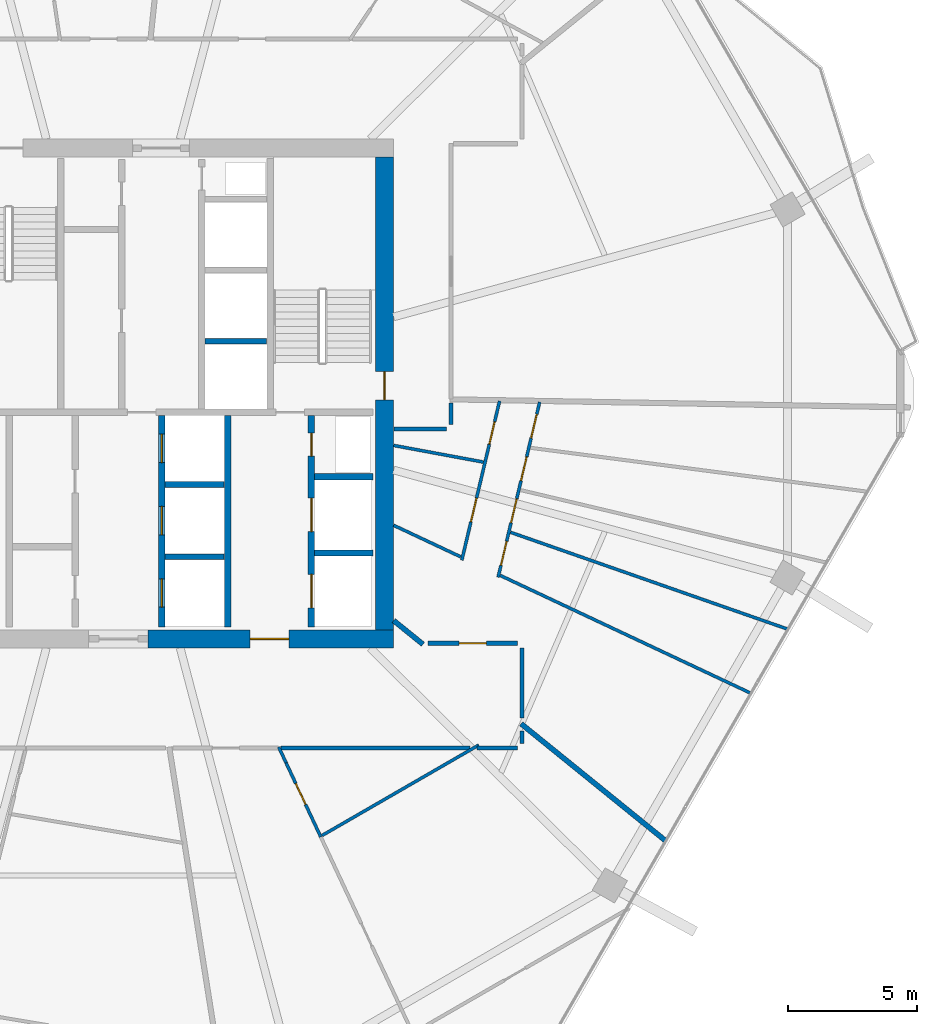
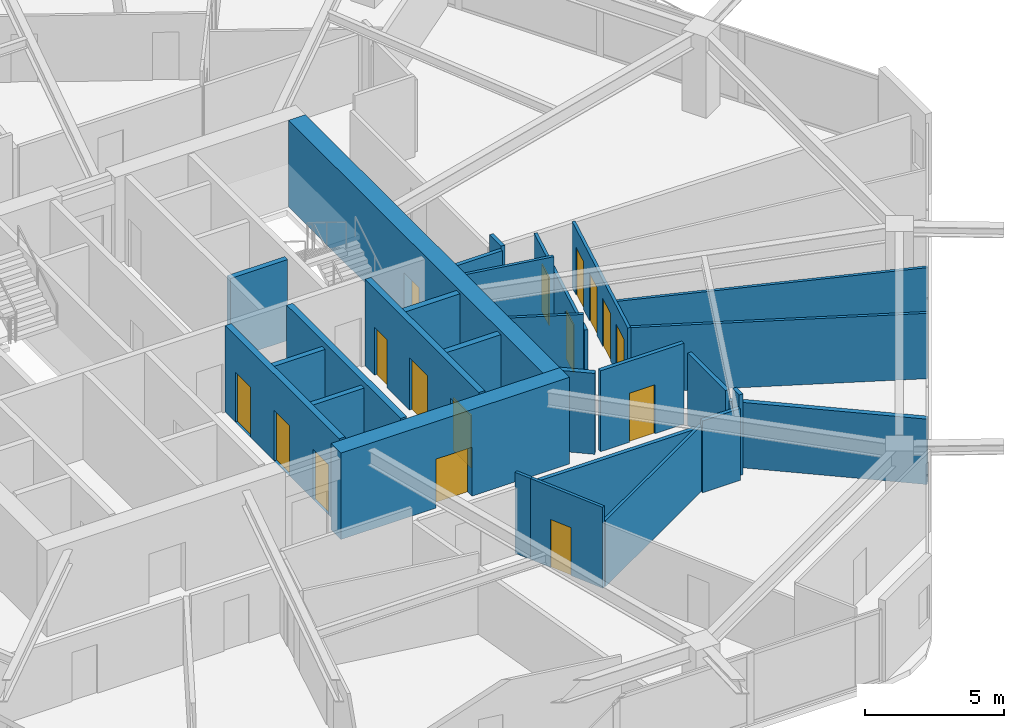
# One storey, part 19 of 25: 28 walls, 16 doors, 16 openings.
"""IFC4 building model written with IfcOpenShell, lengths in metres."""

import ifcopenshell
import ifcopenshell.guid

model = None  # the IFC model being written
_history = None  # IfcOwnerHistory: only IFC2X3 demands one
_inside = {}  # id of a spatial element -> (the spatial element, [elements in it])
_under = {}  # id of a project, library or spatial element -> (it, [spatial elements below it])
_declared = {}  # id of a project -> (the project, [libraries it declares])
_typed = {}  # id of a type object -> (the type object, [elements of that type])
_made_of = {}  # id of a material, layer set ... -> (it, [elements and type objects made of it])


def new_model(schema):
    """Start an empty IFC model of exactly this schema.

    Asked for "IFC4X3", IfcOpenShell would pick the latest addendum, in which some entities
    have other attributes; the version numbers below select the first issue.
    IFC2X3 requires an IfcOwnerHistory on every rooted entity: one is made here for all.
    """
    global model, _history
    if schema == "IFC4X3":
        model = ifcopenshell.file(schema_version=(4, 3, 0, 0))
    else:
        model = ifcopenshell.file(schema=schema)
    _inside.clear()
    _under.clear()
    _declared.clear()
    _typed.clear()
    _made_of.clear()
    _history = None
    if model.schema == "IFC2X3":
        org = make("IfcOrganization", Name="unknown")
        user = make(
            "IfcPersonAndOrganization",
            ThePerson=make("IfcPerson", FamilyName="unknown"),
            TheOrganization=org,
        )
        app = make(
            "IfcApplication",
            ApplicationDeveloper=org,
            Version="unknown",
            ApplicationFullName="unknown",
            ApplicationIdentifier="unknown",
        )
        _history = make(
            "IfcOwnerHistory",
            OwningUser=user,
            OwningApplication=app,
            ChangeAction="ADDED",
            CreationDate=0,
        )
    return model


def make(cls, **values):
    """One entity of the class cls with the attributes given. An attribute that is None is left unset."""
    return model.create_entity(
        cls, **{name: value for name, value in values.items() if value is not None}
    )


def rooted(cls, **values):
    """An entity with a GlobalId (a new one), such as an element, a storey or a relation."""
    return make(cls, GlobalId=ifcopenshell.guid.new(), OwnerHistory=_history, **values)


def si_unit(unit_type, name, prefix=None):
    """IfcSIUnit, for example si_unit("LENGTHUNIT", "METRE", prefix="MILLI")."""
    return make("IfcSIUnit", UnitType=unit_type, Prefix=prefix, Name=name)


def assignment(units):
    """IfcUnitAssignment: the units of a project."""
    return None if units is None else make("IfcUnitAssignment", Units=units)


def point(xyz):
    """IfcCartesianPoint."""
    return None if xyz is None else make("IfcCartesianPoint", Coordinates=xyz)


def direction(xyz):
    """IfcDirection."""
    return None if xyz is None else make("IfcDirection", DirectionRatios=xyz)


def frame(location, z_axis=None, x_axis=None):
    """IfcAxis2Placement3D, a coordinate frame: its origin and axes. An axis left out is left unset."""
    return make(
        "IfcAxis2Placement3D",
        Location=point(location),
        Axis=direction(z_axis),
        RefDirection=direction(x_axis),
    )


def frame_2d(location, x_axis=None):
    """IfcAxis2Placement2D, a coordinate frame in the plane: its origin and x axis."""
    return make(
        "IfcAxis2Placement2D", Location=point(location), RefDirection=direction(x_axis)
    )


def origin():
    """The frame at (0, 0, 0) with its axes left unset."""
    return frame((0.0, 0.0, 0.0))


def place(relative_to, where):
    """IfcLocalPlacement: puts the frame where relative to a parent placement (None: the world)."""
    return make(
        "IfcLocalPlacement", PlacementRelTo=relative_to, RelativePlacement=where
    )


def context(
    kind, dimensions, precision=None, world=None, true_north=None, identifier=None
):
    """IfcGeometricRepresentationContext, for example the 3D "Model" context."""
    return make(
        "IfcGeometricRepresentationContext",
        ContextIdentifier=identifier,
        ContextType=kind,
        CoordinateSpaceDimension=dimensions,
        Precision=precision,
        WorldCoordinateSystem=world,
        TrueNorth=true_north,
    )


def subcontext(parent, identifier, kind, view, scale=None):
    """IfcGeometricRepresentationSubContext, for example "Body" below "Model"."""
    return make(
        "IfcGeometricRepresentationSubContext",
        ContextIdentifier=identifier,
        ContextType=kind,
        ParentContext=parent,
        TargetScale=scale,
        TargetView=view,
    )


def project(units=None, contexts=None):
    """IfcProject with its units and contexts."""
    return rooted(
        "IfcProject",
        Name="project",
        RepresentationContexts=contexts,
        UnitsInContext=assignment(units),
    )


def spatial(cls, under=None, at=None, **own):
    """A site, building, storey or space (cls), placed at a placement, below another one or the project."""
    s = rooted(cls, ObjectPlacement=at, **own)
    if under is not None:
        _under.setdefault(under.id(), (under, []))[1].append(s)
    return s


def profile(cls, at=None, kind="AREA", **sizes):
    """A parametric profile (cls). Its sizes go by their IFC names, for example OverallWidth=200.0."""
    return make(cls, ProfileType=kind, Position=at, **sizes)


def rectangle(**sizes):
    """IfcRectangleProfileDef."""
    return profile("IfcRectangleProfileDef", **sizes)


def extrude(swept, where, along, depth):
    """IfcExtrudedAreaSolid: the profile swept, set in the frame where, extruded along a direction by depth."""
    return make(
        "IfcExtrudedAreaSolid",
        SweptArea=swept,
        Position=where,
        ExtrudedDirection=direction(along),
        Depth=depth,
    )


def shape(context_of_items, identifier, shape_type, items):
    """IfcShapeRepresentation: the items that make up one representation, for example the "Body"."""
    return make(
        "IfcShapeRepresentation",
        ContextOfItems=context_of_items,
        RepresentationIdentifier=identifier,
        RepresentationType=shape_type,
        Items=items,
    )


def material(Name=None, Category=None):
    """IfcMaterial."""
    return make("IfcMaterial", Name=Name, Category=Category)


def layer(
    of_material, thickness, ventilated=None, Name=None, Category=None, Priority=None
):
    """IfcMaterialLayer: one layer of a wall or slab, of a material (None: an air gap)."""
    return make(
        "IfcMaterialLayer",
        Material=of_material,
        LayerThickness=thickness,
        IsVentilated=ventilated,
        Name=Name,
        Category=Category,
        Priority=Priority,
    )


def layer_set(layers, Name=None):
    """IfcMaterialLayerSet."""
    return make("IfcMaterialLayerSet", MaterialLayers=layers, LayerSetName=Name)


def made_of(thing, what):
    """Note that an element or type object is made of a material, layer set ...; save() writes the relation."""
    if what is not None:
        _made_of.setdefault(what.id(), (what, []))[1].append(thing)
    return thing


def type_object(cls, material=None, **own):
    """A type object (cls), such as IfcWallType, which elements share."""
    return made_of(rooted(cls, **own), material)


def element(
    cls,
    number,
    at=None,
    inside=None,
    cuts=None,
    type_object=None,
    material=None,
    context=None,
    identifier="Body",
    shape_type=None,
    held_by="IfcProductDefinitionShape",
    body=None,
    shapes=None,
    **own,
):
    """One element of the class cls, such as IfcWall. Its Tag is "e" and its number.

    at: its placement. inside: the storey or other place that contains it. cuts: it is an
    opening in that element (IfcRelVoidsElement). A single representation is given by context,
    identifier, shape_type and body (its items); several are given by shapes. held_by: the class
    of the entity that holds the representations. save() writes the other relations.
    """
    e = rooted(cls, Tag="e%d" % number, ObjectPlacement=at, **own)
    if body is not None:
        shapes = [shape(context, identifier, shape_type, body)]
    if shapes is not None:
        e.Representation = make(held_by, Representations=shapes)
    if inside is not None:
        _inside.setdefault(inside.id(), (inside, []))[1].append(e)
    if cuts is not None:
        rooted(
            "IfcRelVoidsElement", RelatingBuildingElement=cuts, RelatedOpeningElement=e
        )
    if type_object is not None:
        _typed.setdefault(type_object.id(), (type_object, []))[1].append(e)
    return made_of(e, material)


def fill(opening, filler):
    """IfcRelFillsElement: the door or window that sits in an opening."""
    return rooted(
        "IfcRelFillsElement",
        RelatingOpeningElement=opening,
        RelatedBuildingElement=filler,
    )


def aggregate(whole, parts):
    """IfcRelAggregates: a whole, such as a stair, and the parts it consists of."""
    return rooted("IfcRelAggregates", RelatingObject=whole, RelatedObjects=parts)


def save(model, path):
    """Write the relations noted so far, then the file.

    IfcRelAggregates (storeys below a building ...), IfcRelContainedInSpatialStructure (elements
    in a storey), IfcRelDefinesByType, IfcRelAssociatesMaterial and IfcRelDeclares: one each for
    every whole, place, type object, material and project.
    """
    for whole, parts in _under.values():
        aggregate(whole, parts)
    for where, things in _inside.values():
        rooted(
            "IfcRelContainedInSpatialStructure",
            RelatedElements=things,
            RelatingStructure=where,
        )
    for kind, things in _typed.values():
        rooted("IfcRelDefinesByType", RelatedObjects=things, RelatingType=kind)
    for what, things in _made_of.values():
        rooted("IfcRelAssociatesMaterial", RelatedObjects=things, RelatingMaterial=what)
    for by, libraries in _declared.values():
        rooted("IfcRelDeclares", RelatingContext=by, RelatedDefinitions=libraries)
    model.write(path)


model = new_model("IFC4")

# Units and contexts
model_context = context("Model", 3, precision=1e-05, world=origin(), true_north=direction((0.0, 1.0)))
body_context = subcontext(model_context, "Body", "Model", "MODEL_VIEW")
ifc_project = project(units=[si_unit("LENGTHUNIT", "METRE"), si_unit("AREAUNIT", "SQUARE_METRE"), si_unit("VOLUMEUNIT", "CUBIC_METRE"), si_unit("PLANEANGLEUNIT", "RADIAN"), si_unit("MASSUNIT", "GRAM", prefix="KILO")], contexts=[model_context])

# Site, building, storey
site_placement = place(None, origin())
site = spatial("IfcSite", under=ifc_project, at=site_placement, CompositionType="ELEMENT")
building_placement = place(site_placement, origin())
building = spatial("IfcBuilding", under=site, at=building_placement, Name="Zuhravey Tower", CompositionType="ELEMENT")
storey_placement = place(building_placement, frame((0.0, 0.0, 180.800048828125)))
storey = spatial("IfcBuildingStorey", under=building, at=storey_placement, Name="L45", CompositionType="ELEMENT", Elevation=180.800048828125)

# Wall, opening, door
ifc_material_1 = material(Name="Concrete C60/75", Category="concrete")
ifc_layer_1 = layer(ifc_material_1, 0.699951171875)
ifc_layer_set_1 = layer_set([ifc_layer_1], Name="Concrete C60/75")
wall_type_1 = type_object("IfcWallType", Name="Core Shear Wall 700", PredefinedType="SHEAR", material=ifc_layer_set_1)
wall_1_placement = place(storey_placement, frame((37.35009765625, 22.5, 0.0), z_axis=(0.0, 0.0, 1.0), x_axis=(1.0, 0.0, 0.0)))
wall_1 = element("IfcWall", 1, at=wall_1_placement, inside=storey, type_object=wall_type_1, Name="L45 South-East Core Shear Wall CW70", PredefinedType="SHEAR", context=body_context, shape_type="SweptSolid", body=[
    extrude(rectangle(XDim=9.5, YDim=0.699951171875, at=frame_2d((4.75, 0.0))), origin(), (0.0, 0.0, 1.0), 3.800048828125),
])
opening_1_placement = place(wall_1_placement, frame((3.949951171875, 0.0, 0.0)))
opening_1 = element("IfcOpeningElement", 2, at=opening_1_placement, cuts=wall_1, Name="Opening FFD1", PredefinedType="OPENING", context=body_context, shape_type="SweptSolid", body=[
    extrude(rectangle(XDim=1.5, YDim=2.14990234375, at=frame_2d((0.75, 1.074951171875))), frame((0.0, 0.362060546875, 0.0), z_axis=(0.0, -1.0, 0.0), x_axis=(1.0, 0.0, 0.0)), (0.0, 0.0, 1.0), 0.723876953125),
])
ifc_material_2 = material(Name="Galvanised fire-rated steel leaf", Category="steel")
door_type_1 = type_object("IfcDoorType", Name="Firefighting Lobby Double Door 1500x2150", OperationType="DOUBLE_DOOR_SINGLE_SWING", PredefinedType="DOOR", material=ifc_material_2)
door_1_placement = place(opening_1_placement, origin())
door_1 = element("IfcDoor", 3, at=door_1_placement, inside=storey, type_object=door_type_1, Name="L45 Firefighting Lobby East Door", OperationType="DOUBLE_DOOR_SINGLE_SWING", OverallHeight=2.14990234375, OverallWidth=1.5, PredefinedType="DOOR", context=body_context, shape_type="SweptSolid", body=[
    extrude(rectangle(XDim=1.5, YDim=2.14990234375, at=frame_2d((0.75, 1.074951171875))), frame((0.0, 0.02490234375, 0.0), z_axis=(0.0, -1.0, 0.0), x_axis=(1.0, 0.0, 0.0)), (0.0, 0.0, 1.0), 0.050048828125),
])
fill(opening_1, door_1)

wall_2_placement = place(storey_placement, frame((46.5, 22.85009765625, 0.0), z_axis=(0.0, 0.0, 1.0), x_axis=(0.0, 1.0, 0.0)))
wall_2 = element("IfcWall", 4, at=wall_2_placement, inside=storey, type_object=wall_type_1, Name="L45 East Core Shear Wall CW70", PredefinedType="SHEAR", context=body_context, shape_type="SweptSolid", body=[
    extrude(rectangle(XDim=18.2998046875, YDim=0.699951171875, at=frame_2d((9.14990234375, 0.0))), origin(), (0.0, 0.0, 1.0), 3.800048828125),
])
opening_2_placement = place(wall_2_placement, frame((8.89990234375, 0.0, 0.0)))
opening_2 = element("IfcOpeningElement", 5, at=opening_2_placement, cuts=wall_2, Name="Opening STD1", PredefinedType="OPENING", context=body_context, shape_type="SweptSolid", body=[
    extrude(rectangle(XDim=1.10009765625, YDim=2.14990234375, at=frame_2d((0.550048828125, 1.074951171875))), frame((0.0, 0.362060546875, 0.0), z_axis=(0.0, -1.0, 0.0), x_axis=(1.0, 0.0, 0.0)), (0.0, 0.0, 1.0), 0.723876953125),
])
door_type_2 = type_object("IfcDoorType", Name="Protected Stair Fire Door 1100x2150", OperationType="NOTDEFINED", PredefinedType="USERDEFINED", material=ifc_material_2)
door_2_placement = place(opening_2_placement, origin())
door_2 = element("IfcDoor", 6, at=door_2_placement, inside=storey, type_object=door_type_2, Name="L45 Stair ST2 Door", ObjectType="EXITDOOR", OperationType="SINGLE_SWING_LEFT", OverallHeight=2.14990234375, OverallWidth=1.10009765625, PredefinedType="USERDEFINED", context=body_context, shape_type="SweptSolid", body=[
    extrude(rectangle(XDim=1.10009765625, YDim=2.14990234375, at=frame_2d((0.550048828125, 1.074951171875))), frame((0.0, 0.02490234375, 0.0), z_axis=(0.0, -1.0, 0.0), x_axis=(1.0, 0.0, 0.0)), (0.0, 0.0, 1.0), 0.050048828125),
])
fill(opening_2, door_2)

ifc_material_3 = material(Name="Gypsum fire-rated stud partition")
ifc_layer_2 = layer(ifc_material_3, 0.159912109375)
ifc_layer_set_2 = layer_set([ifc_layer_2], Name="Gypsum fire-rated stud partition")
wall_type_2 = type_object("IfcWallType", Name="Corridor Fire Partition 160", PredefinedType="PARTITIONING", material=ifc_layer_set_2)
wall_3_placement = place(storey_placement, frame((51.6494140625, 22.330078125, 0.0), z_axis=(0.0, 0.0, 1.0), x_axis=(-1.0, 0.0, 0.0)))
wall_3 = element("IfcWall", 7, at=wall_3_placement, inside=storey, type_object=wall_type_2, Name="L45 IW16 Partition 053", PredefinedType="PARTITIONING", context=body_context, shape_type="SweptSolid", body=[
    extrude(rectangle(XDim=3.46044921875, YDim=0.159912109375, at=frame_2d((1.730224609375, 0.0))), origin(), (0.0, 0.0, 1.0), 3.550048828125),
])
opening_3_placement = place(wall_3_placement, frame((1.205078125, 0.0, 0.0)))
opening_3 = element("IfcOpeningElement", 8, at=opening_3_placement, cuts=wall_3, Name="Opening APD1", PredefinedType="OPENING", context=body_context, shape_type="SweptSolid", body=[
    extrude(rectangle(XDim=1.050048828125, YDim=2.14990234375, at=frame_2d((0.52490234375, 1.074951171875))), frame((0.0, 0.092041015625, 0.0), z_axis=(0.0, -1.0, 0.0), x_axis=(1.0, 0.0, 0.0)), (0.0, 0.0, 1.0), 0.183837890625),
])
ifc_material_4 = material(Name="Solid-core oak fire-rated leaf")
door_type_3 = type_object("IfcDoorType", Name="Apartment Entrance Fire Door 1050x2150", OperationType="NOTDEFINED", PredefinedType="DOOR", material=ifc_material_4)
door_3_placement = place(opening_3_placement, frame((1.050048828125, 0.0, 0.0), z_axis=(0.0, 0.0, 1.0), x_axis=(-1.0, 0.0, 0.0)))
door_3 = element("IfcDoor", 9, at=door_3_placement, inside=storey, type_object=door_type_3, Name="L45 Door 053.1", OperationType="SINGLE_SWING_LEFT", OverallHeight=2.14990234375, OverallWidth=1.050048828125, PredefinedType="DOOR", context=body_context, shape_type="SweptSolid", body=[
    extrude(rectangle(XDim=1.050048828125, YDim=2.14990234375, at=frame_2d((0.52490234375, 1.074951171875))), frame((0.0, 0.02490234375, 0.0), z_axis=(0.0, -1.0, 0.0), x_axis=(1.0, 0.0, 0.0)), (0.0, 0.0, 1.0), 0.050048828125),
])
fill(opening_3, door_3)

# Walls
wall_4_placement = place(storey_placement, frame((42.500732421875, 18.27001953125, 0.0), z_axis=(0.0, 0.0, 1.0), x_axis=(1.0, 0.0, 0.0)))
element("IfcWall", 10, at=wall_4_placement, inside=storey, type_object=wall_type_2, Name="L45 IW16 Partition 119", PredefinedType="PARTITIONING", context=body_context, shape_type="SweptSolid", body=[
    extrude(rectangle(XDim=7.30810546875, YDim=0.159912109375, at=frame_2d((3.654052734375, 0.0))), origin(), (0.0, 0.0, 1.0), 2.89990234375),
])
wall_5_placement = place(storey_placement, frame((50.080810546875, 18.27001953125, 0.0), z_axis=(0.0, 0.0, 1.0), x_axis=(1.0, 0.0, 0.0)))
element("IfcWall", 11, at=wall_5_placement, inside=storey, type_object=wall_type_2, Name="L45 IW16 Partition 120", PredefinedType="PARTITIONING", context=body_context, shape_type="SweptSolid", body=[
    extrude(rectangle(XDim=1.569091796875, YDim=0.159912109375, at=frame_2d((0.78466796875, 0.0))), origin(), (0.0, 0.0, 1.0), 3.14990234375),
])
wall_6_placement = place(storey_placement, frame((51.830078125, 18.449951171875, 0.0), z_axis=(0.0, 0.0, 1.0), x_axis=(0.0, 1.0, 0.0)))
element("IfcWall", 12, at=wall_6_placement, inside=storey, type_object=wall_type_2, Name="L45 IW16 Partition 121", PredefinedType="PARTITIONING", context=body_context, shape_type="SweptSolid", body=[
    extrude(rectangle(XDim=0.474853515625, YDim=0.159912109375, at=frame_2d((0.2373046875, 0.0))), origin(), (0.0, 0.0, 1.0), 3.550048828125),
])
wall_7_placement = place(storey_placement, frame((51.830078125, 19.433837890625, 0.0), z_axis=(0.0, 0.0, 1.0), x_axis=(0.0, 1.0, 0.0)))
element("IfcWall", 13, at=wall_7_placement, inside=storey, type_object=wall_type_2, Name="L45 IW16 Partition 122", PredefinedType="PARTITIONING", context=body_context, shape_type="SweptSolid", body=[
    extrude(rectangle(XDim=2.715576171875, YDim=0.159912109375, at=frame_2d((1.35791015625, 0.0))), origin(), (0.0, 0.0, 1.0), 3.14990234375),
])
wall_8_placement = place(storey_placement, frame((46.8701171875, 30.6201171875, 0.0), z_axis=(0.0, 0.0, 1.0), x_axis=(1.0, 0.0, 0.0)))
element("IfcWall", 14, at=wall_8_placement, inside=storey, type_object=wall_type_2, Name="L45 IW16 Partition 123", PredefinedType="PARTITIONING", context=body_context, shape_type="SweptSolid", body=[
    extrude(rectangle(XDim=2.02978515625, YDim=0.159912109375, at=frame_2d((1.014892578125, 0.0))), origin(), (0.0, 0.0, 1.0), 3.550048828125),
])
wall_9_placement = place(storey_placement, frame((49.080078125, 30.800048828125, 0.0), z_axis=(0.0, 0.0, 1.0), x_axis=(0.0, 1.0, 0.0)))
element("IfcWall", 15, at=wall_9_placement, inside=storey, type_object=wall_type_2, Name="L45 IW16 Partition 124", PredefinedType="PARTITIONING", context=body_context, shape_type="SweptSolid", body=[
    extrude(rectangle(XDim=0.83740234375, YDim=0.159912109375, at=frame_2d((0.418701171875, 0.0))), origin(), (0.0, 0.0, 1.0), 3.550048828125),
])

# Wall, openings, doors
ifc_material_5 = material(Name="Concrete C50/60", Category="concrete")
ifc_layer_3 = layer(ifc_material_5, 0.25)
ifc_layer_set_3 = layer_set([ifc_layer_3], Name="Concrete C50/60")
wall_type_3 = type_object("IfcWallType", Name="Firefighting Shaft & Stair Wall 250", PredefinedType="SOLIDWALL", material=ifc_layer_set_3)
wall_10_placement = place(storey_placement, frame((37.875, 22.949951171875, 0.0), z_axis=(0.0, 0.0, 1.0), x_axis=(0.0, 1.0, 0.0)))
wall_10 = element("IfcWall", 16, at=wall_10_placement, inside=storey, type_object=wall_type_3, Name="L45 FW25 Shaft Wall 015", PredefinedType="SOLIDWALL", context=body_context, shape_type="SweptSolid", body=[
    extrude(rectangle(XDim=8.199951171875, YDim=0.25, at=frame_2d((4.10009765625, 0.0))), origin(), (0.0, 0.0, 1.0), 3.800048828125),
])
opening_4_placement = place(wall_10_placement, frame((0.77490234375, 0.0, 0.0)))
opening_4 = element("IfcOpeningElement", 17, at=opening_4_placement, cuts=wall_10, Name="Opening LD1", PredefinedType="OPENING", context=body_context, shape_type="SweptSolid", body=[
    extrude(rectangle(XDim=1.10009765625, YDim=2.199951171875, at=frame_2d((0.550048828125, 1.10009765625))), frame((0.0, 0.136962890625, 0.0), z_axis=(0.0, -1.0, 0.0), x_axis=(1.0, 0.0, 0.0)), (0.0, 0.0, 1.0), 0.27392578125),
])
opening_5_placement = place(wall_10_placement, frame((3.574951171875, 0.0, 0.0)))
opening_5 = element("IfcOpeningElement", 18, at=opening_5_placement, cuts=wall_10, Name="Opening LD1", PredefinedType="OPENING", context=body_context, shape_type="SweptSolid", body=[
    extrude(rectangle(XDim=1.10009765625, YDim=2.199951171875, at=frame_2d((0.550048828125, 1.10009765625))), frame((0.0, 0.136962890625, 0.0), z_axis=(0.0, -1.0, 0.0), x_axis=(1.0, 0.0, 0.0)), (0.0, 0.0, 1.0), 0.27392578125),
])
opening_6_placement = place(wall_10_placement, frame((6.375, 0.0, 0.0)))
opening_6 = element("IfcOpeningElement", 19, at=opening_6_placement, cuts=wall_10, Name="Opening LD1", PredefinedType="OPENING", context=body_context, shape_type="SweptSolid", body=[
    extrude(rectangle(XDim=1.10009765625, YDim=2.199951171875, at=frame_2d((0.550048828125, 1.10009765625))), frame((0.0, 0.136962890625, 0.0), z_axis=(0.0, -1.0, 0.0), x_axis=(1.0, 0.0, 0.0)), (0.0, 0.0, 1.0), 0.27392578125),
])
ifc_material_6 = material(Name="Brushed stainless steel", Category="steel")
door_type_4 = type_object("IfcDoorType", Name="Lift Landing Sliding Door 1100x2200", OperationType="DOUBLE_DOOR_SLIDING", PredefinedType="DOOR", material=ifc_material_6)
door_4_placement = place(opening_4_placement, origin())
door_4 = element("IfcDoor", 20, at=door_4_placement, inside=storey, type_object=door_type_4, Name="L45 Lift PL4 Landing Door", OperationType="DOUBLE_DOOR_SLIDING", OverallHeight=2.199951171875, OverallWidth=1.10009765625, PredefinedType="DOOR", context=body_context, shape_type="SweptSolid", body=[
    extrude(rectangle(XDim=1.10009765625, YDim=2.199951171875, at=frame_2d((0.550048828125, 1.10009765625))), frame((0.0, 0.02490234375, 0.0), z_axis=(0.0, -1.0, 0.0), x_axis=(1.0, 0.0, 0.0)), (0.0, 0.0, 1.0), 0.050048828125),
])
fill(opening_4, door_4)
door_5_placement = place(opening_5_placement, origin())
door_5 = element("IfcDoor", 21, at=door_5_placement, inside=storey, type_object=door_type_4, Name="L45 Lift PL5 Landing Door", OperationType="DOUBLE_DOOR_SLIDING", OverallHeight=2.199951171875, OverallWidth=1.10009765625, PredefinedType="DOOR", context=body_context, shape_type="SweptSolid", body=[
    extrude(rectangle(XDim=1.10009765625, YDim=2.199951171875, at=frame_2d((0.550048828125, 1.10009765625))), frame((0.0, 0.02490234375, 0.0), z_axis=(0.0, -1.0, 0.0), x_axis=(1.0, 0.0, 0.0)), (0.0, 0.0, 1.0), 0.050048828125),
])
fill(opening_5, door_5)
door_6_placement = place(opening_6_placement, origin())
door_6 = element("IfcDoor", 22, at=door_6_placement, inside=storey, type_object=door_type_4, Name="L45 Lift PL6 Landing Door", OperationType="DOUBLE_DOOR_SLIDING", OverallHeight=2.199951171875, OverallWidth=1.10009765625, PredefinedType="DOOR", context=body_context, shape_type="SweptSolid", body=[
    extrude(rectangle(XDim=1.10009765625, YDim=2.199951171875, at=frame_2d((0.550048828125, 1.10009765625))), frame((0.0, 0.02490234375, 0.0), z_axis=(0.0, -1.0, 0.0), x_axis=(1.0, 0.0, 0.0)), (0.0, 0.0, 1.0), 0.050048828125),
])
fill(opening_6, door_6)

# Walls
wall_11_placement = place(storey_placement, frame((40.425048828125, 22.949951171875, 0.0), z_axis=(0.0, 0.0, 1.0), x_axis=(0.0, 1.0, 0.0)))
element("IfcWall", 23, at=wall_11_placement, inside=storey, type_object=wall_type_3, Name="L45 FW25 Shaft Wall 016", PredefinedType="SOLIDWALL", context=body_context, shape_type="SweptSolid", body=[
    extrude(rectangle(XDim=8.199951171875, YDim=0.25, at=frame_2d((4.10009765625, 0.0))), origin(), (0.0, 0.0, 1.0), 3.800048828125),
])
for number, where, z_axis, x_axis, name in (
    (24, (43.800048828125, 25.824951171875, 0.0), (0.0, 0.0, 1.0), (1.0, 0.0, 0.0), "L45 FW25 Shaft Wall 017"),
    (25, (43.800048828125, 28.77490234375, 0.0), (0.0, 0.0, 1.0), (1.0, 0.0, 0.0), "L45 FW25 Shaft Wall 018"),
):
    element("IfcWall", number, at=place(storey_placement, frame(where, z_axis=z_axis, x_axis=x_axis)), inside=storey, type_object=wall_type_3, Name=name, PredefinedType="SOLIDWALL", context=body_context, shape_type="SweptSolid", body=[
        extrude(rectangle(XDim=2.25, YDim=0.25, at=frame_2d((1.125, 0.0))), origin(), (0.0, 0.0, 1.0), 3.800048828125),
    ])

# Wall, openings, doors
wall_12_placement = place(storey_placement, frame((43.675048828125, 22.949951171875, 0.0), z_axis=(0.0, 0.0, 1.0), x_axis=(0.0, 1.0, 0.0)))
wall_12 = element("IfcWall", 26, at=wall_12_placement, inside=storey, type_object=wall_type_3, Name="L45 FW25 Shaft Wall 019", PredefinedType="SOLIDWALL", context=body_context, shape_type="SweptSolid", body=[
    extrude(rectangle(XDim=8.199951171875, YDim=0.25, at=frame_2d((4.10009765625, 0.0))), origin(), (0.0, 0.0, 1.0), 3.800048828125),
])
opening_7_placement = place(wall_12_placement, frame((0.75, 0.0, 0.0)))
opening_7 = element("IfcOpeningElement", 27, at=opening_7_placement, cuts=wall_12, Name="Opening LD2", PredefinedType="OPENING", context=body_context, shape_type="SweptSolid", body=[
    extrude(rectangle(XDim=1.300048828125, YDim=2.300048828125, at=frame_2d((0.64990234375, 1.14990234375))), frame((0.0, 0.136962890625, 0.0), z_axis=(0.0, -1.0, 0.0), x_axis=(1.0, 0.0, 0.0)), (0.0, 0.0, 1.0), 0.27392578125),
])
opening_8_placement = place(wall_12_placement, frame((3.699951171875, 0.0, 0.0)))
opening_8 = element("IfcOpeningElement", 28, at=opening_8_placement, cuts=wall_12, Name="Opening LD2", PredefinedType="OPENING", context=body_context, shape_type="SweptSolid", body=[
    extrude(rectangle(XDim=1.300048828125, YDim=2.300048828125, at=frame_2d((0.64990234375, 1.14990234375))), frame((0.0, 0.136962890625, 0.0), z_axis=(0.0, -1.0, 0.0), x_axis=(1.0, 0.0, 0.0)), (0.0, 0.0, 1.0), 0.27392578125),
])
opening_9_placement = place(wall_12_placement, frame((6.6201171875, 0.0, 0.0)))
opening_9 = element("IfcOpeningElement", 29, at=opening_9_placement, cuts=wall_12, Name="Opening RSD1", PredefinedType="OPENING", context=body_context, shape_type="SweptSolid", body=[
    extrude(rectangle(XDim=0.89990234375, YDim=2.10009765625, at=frame_2d((0.449951171875, 1.050048828125))), frame((0.0, 0.136962890625, 0.0), z_axis=(0.0, -1.0, 0.0), x_axis=(1.0, 0.0, 0.0)), (0.0, 0.0, 1.0), 0.27392578125),
])
door_type_5 = type_object("IfcDoorType", Name="Freight & Stretcher Lift Sliding Door 1300x2300", OperationType="DOUBLE_DOOR_SLIDING", PredefinedType="DOOR", material=ifc_material_6)
door_7_placement = place(opening_7_placement, origin())
door_7 = element("IfcDoor", 30, at=door_7_placement, inside=storey, type_object=door_type_5, Name="L45 Lift FF2 Landing Door", OperationType="DOUBLE_DOOR_SLIDING", OverallHeight=2.300048828125, OverallWidth=1.300048828125, PredefinedType="DOOR", context=body_context, shape_type="SweptSolid", body=[
    extrude(rectangle(XDim=1.300048828125, YDim=2.300048828125, at=frame_2d((0.64990234375, 1.14990234375))), frame((0.0, 0.02490234375, 0.0), z_axis=(0.0, -1.0, 0.0), x_axis=(1.0, 0.0, 0.0)), (0.0, 0.0, 1.0), 0.050048828125),
])
fill(opening_7, door_7)
door_8_placement = place(opening_8_placement, origin())
door_8 = element("IfcDoor", 31, at=door_8_placement, inside=storey, type_object=door_type_5, Name="L45 Lift SV1 Landing Door", OperationType="DOUBLE_DOOR_SLIDING", OverallHeight=2.300048828125, OverallWidth=1.300048828125, PredefinedType="DOOR", context=body_context, shape_type="SweptSolid", body=[
    extrude(rectangle(XDim=1.300048828125, YDim=2.300048828125, at=frame_2d((0.64990234375, 1.14990234375))), frame((0.0, 0.02490234375, 0.0), z_axis=(0.0, -1.0, 0.0), x_axis=(1.0, 0.0, 0.0)), (0.0, 0.0, 1.0), 0.050048828125),
])
fill(opening_8, door_8)
ifc_material_7 = material(Name="Galvanised fire-rated steel access leaf", Category="steel")
door_type_6 = type_object("IfcDoorType", Name="Riser & Shaft Access Fire Door 900x2100", OperationType="NOTDEFINED", PredefinedType="DOOR", material=ifc_material_7)
door_9_placement = place(opening_9_placement, origin())
door_9 = element("IfcDoor", 32, at=door_9_placement, inside=storey, type_object=door_type_6, Name="L45 Plumbing Riser Door", OperationType="SINGLE_SWING_LEFT", OverallHeight=2.10009765625, OverallWidth=0.89990234375, PredefinedType="DOOR", context=body_context, shape_type="SweptSolid", body=[
    extrude(rectangle(XDim=0.89990234375, YDim=2.10009765625, at=frame_2d((0.449951171875, 1.050048828125))), frame((0.0, 0.02490234375, 0.0), z_axis=(0.0, -1.0, 0.0), x_axis=(1.0, 0.0, 0.0)), (0.0, 0.0, 1.0), 0.050048828125),
])
fill(opening_9, door_9)

# Walls
ifc_material_8 = material(Name="Gypsum double-stud party assembly")
ifc_layer_4 = layer(ifc_material_8, 0.199951171875)
ifc_layer_set_4 = layer_set([ifc_layer_4], Name="Gypsum double-stud party assembly")
wall_type_4 = type_object("IfcWallType", Name="Inter-Tenancy Party Wall 200", PredefinedType="PARTITIONING", material=ifc_layer_set_4)
wall_13_placement = place(storey_placement, frame((46.85791015625, 23.207275390625, 0.0), z_axis=(0.0, 0.0, 1.0), x_axis=(0.777244870707, -0.629198228668, 0.0)))
element("IfcWall", 33, at=wall_13_placement, inside=storey, type_object=wall_type_4, Name="L45 IW20 Partition 095", PredefinedType="PARTITIONING", context=body_context, shape_type="SweptSolid", body=[
    extrude(rectangle(XDim=1.457763671875, YDim=0.199951171875, at=frame_2d((0.72900390625, 0.0))), origin(), (0.0, 0.0, 1.0), 3.550048828125),
])
wall_14_placement = place(storey_placement, frame((51.7900390625, 19.21337890625, 0.0), z_axis=(0.0, 0.0, 1.0), x_axis=(0.777161996324, -0.629300589122, 0.0)))
element("IfcWall", 34, at=wall_14_placement, inside=storey, type_object=wall_type_4, Name="L45 IW20 Partition 096", PredefinedType="PARTITIONING", context=body_context, shape_type="SweptSolid", body=[
    extrude(rectangle(XDim=7.203857421875, YDim=0.199951171875, at=frame_2d((3.60205078125, 0.0))), origin(), (0.0, 0.0, 1.0), 2.869873046875),
])
ifc_material_9 = material(Name="Gypsum acoustic stud assembly")
ifc_layer_5 = layer(ifc_material_9, 0.219970703125)
ifc_layer_set_5 = layer_set([ifc_layer_5], Name="Gypsum acoustic stud assembly")
wall_type_5 = type_object("IfcWallType", Name="School Acoustic Compartment Wall 220", PredefinedType="PARTITIONING", material=ifc_layer_set_5)
wall_15_placement = place(storey_placement, frame((39.55810546875, 34.02490234375, 0.0), z_axis=(0.0, 0.0, 1.0), x_axis=(1.0, 0.0, 0.0)))
element("IfcWall", 35, at=wall_15_placement, inside=storey, type_object=wall_type_5, Name="L45 IW22 Partition 056", PredefinedType="PARTITIONING", context=body_context, shape_type="SweptSolid", body=[
    extrude(rectangle(XDim=2.3837890625, YDim=0.219970703125, at=frame_2d((1.19189453125, 0.0))), origin(), (0.0, 0.0, 1.0), 3.550048828125),
])
for number, where, z_axis, x_axis, name in (
    (36, (38.008056640625, 25.675048828125, 0.0), (0.0, 0.0, 1.0), (1.0, 0.0, 0.0), "L45 IW22 Partition 059"),
    (37, (38.008056640625, 28.47509765625, 0.0), (0.0, 0.0, 1.0), (1.0, 0.0, 0.0), "L45 IW22 Partition 060"),
):
    element("IfcWall", number, at=place(storey_placement, frame(where, z_axis=z_axis, x_axis=x_axis)), inside=storey, type_object=wall_type_5, Name=name, PredefinedType="PARTITIONING", context=body_context, shape_type="SweptSolid", body=[
        extrude(rectangle(XDim=2.283935546875, YDim=0.219970703125, at=frame_2d((1.14208984375, 0.0))), origin(), (0.0, 0.0, 1.0), 3.550048828125),
    ])

# Wall, opening, door
ifc_material_10 = material(Name="Gypsum metal-stud partition")
ifc_layer_6 = layer(ifc_material_10, 0.1201171875)
ifc_layer_set_6 = layer_set([ifc_layer_6], Name="Gypsum metal-stud partition")
wall_type_6 = type_object("IfcWallType", Name="Unit Internal Partition 120", PredefinedType="PARTITIONING", material=ifc_layer_set_6)
wall_16_placement = place(storey_placement, frame((42.6923828125, 17.699951171875, 0.0), z_axis=(0.0, 0.0, 1.0), x_axis=(0.423922627961, -0.905698407585, 0.0)))
wall_16 = element("IfcWall", 38, at=wall_16_placement, inside=storey, type_object=wall_type_6, Name="L45 IW12 Partition 047", PredefinedType="PARTITIONING", context=body_context, shape_type="SweptSolid", body=[
    extrude(rectangle(XDim=3.169189453125, YDim=0.1201171875, at=frame_2d((1.58447265625, 0.0))), origin(), (0.0, 0.0, 1.0), 3.550048828125),
])
opening_10_placement = place(wall_16_placement, frame((0.881103515625, 0.0, 0.0)))
opening_10 = element("IfcOpeningElement", 39, at=opening_10_placement, cuts=wall_16, Name="Opening WCD1", PredefinedType="OPENING", context=body_context, shape_type="SweptSolid", body=[
    extrude(rectangle(XDim=0.89990234375, YDim=2.10009765625, at=frame_2d((0.449951171875, 1.050048828125))), frame((0.0, 0.072021484375, 0.0), z_axis=(0.0, -1.0, 0.0), x_axis=(1.0, 0.0, 0.0)), (0.0, 0.0, 1.0), 0.14404296875),
])
ifc_material_11 = material(Name="Moisture-resistant timber leaf", Category="wood")
door_type_7 = type_object("IfcDoorType", Name="Bathroom & WC Internal Door 900x2100", OperationType="NOTDEFINED", PredefinedType="DOOR", material=ifc_material_11)
door_10_placement = place(opening_10_placement, origin())
door_10 = element("IfcDoor", 40, at=door_10_placement, inside=storey, type_object=door_type_7, Name="Apartment L45-07 Bathroom Door", OperationType="SINGLE_SWING_LEFT", OverallHeight=2.10009765625, OverallWidth=0.89990234375, PredefinedType="DOOR", context=body_context, shape_type="SweptSolid", body=[
    extrude(rectangle(XDim=0.89990234375, YDim=2.10009765625, at=frame_2d((0.449951171875, 1.050048828125))), frame((0.0, 0.02490234375, 0.0), z_axis=(0.0, -1.0, 0.0), x_axis=(1.0, 0.0, 0.0)), (0.0, 0.0, 1.0), 0.050048828125),
])
fill(opening_10, door_10)

# Wall, openings, doors
wall_17_placement = place(storey_placement, frame((49.49560546875, 25.544677734375, 0.0), z_axis=(0.0, 0.0, 1.0), x_axis=(0.230738150412, 0.973015881651, 0.0)))
wall_17 = element("IfcWall", 41, at=wall_17_placement, inside=storey, type_object=wall_type_6, Name="L45 IW12 Partition 051", PredefinedType="PARTITIONING", context=body_context, shape_type="SweptSolid", body=[
    extrude(rectangle(XDim=6.334716796875, YDim=0.1201171875, at=frame_2d((3.16748046875, 0.0))), origin(), (0.0, 0.0, 1.0), 2.89990234375),
])
opening_11_placement = place(wall_17_placement, frame((1.522705078125, 0.0, 0.0)))
opening_11 = element("IfcOpeningElement", 42, at=opening_11_placement, cuts=wall_17, Name="Opening IND1", PredefinedType="OPENING", context=body_context, shape_type="SweptSolid", body=[
    extrude(rectangle(XDim=0.949951171875, YDim=2.10009765625, at=frame_2d((0.47509765625, 1.050048828125))), frame((0.0, 0.072021484375, 0.0), z_axis=(0.0, -1.0, 0.0), x_axis=(1.0, 0.0, 0.0)), (0.0, 0.0, 1.0), 0.14404296875),
])
opening_12_placement = place(wall_17_placement, frame((4.61279296875, 0.0, 0.0)))
opening_12 = element("IfcOpeningElement", 43, at=opening_12_placement, cuts=wall_17, Name="Opening WCD1", PredefinedType="OPENING", context=body_context, shape_type="SweptSolid", body=[
    extrude(rectangle(XDim=0.89990234375, YDim=2.10009765625, at=frame_2d((0.449951171875, 1.050048828125))), frame((0.0, 0.072021484375, 0.0), z_axis=(0.0, -1.0, 0.0), x_axis=(1.0, 0.0, 0.0)), (0.0, 0.0, 1.0), 0.14404296875),
])
door_11_placement = place(opening_12_placement, origin())
door_11 = element("IfcDoor", 44, at=door_11_placement, inside=storey, type_object=door_type_7, Name="Apartment L45-08 Bathroom Door", OperationType="SINGLE_SWING_RIGHT", OverallHeight=2.10009765625, OverallWidth=0.89990234375, PredefinedType="DOOR", context=body_context, shape_type="SweptSolid", body=[
    extrude(rectangle(XDim=0.89990234375, YDim=2.10009765625, at=frame_2d((0.449951171875, 1.050048828125))), frame((0.0, 0.02490234375, 0.0), z_axis=(0.0, -1.0, 0.0), x_axis=(1.0, 0.0, 0.0)), (0.0, 0.0, 1.0), 0.050048828125),
])
fill(opening_12, door_11)
ifc_material_12 = material(Name="Painted engineered timber leaf", Category="wood")
door_type_8 = type_object("IfcDoorType", Name="Internal Room & Bedroom Door 950x2100", OperationType="NOTDEFINED", PredefinedType="DOOR", material=ifc_material_12)
door_12_placement = place(opening_11_placement, origin())
door_12 = element("IfcDoor", 45, at=door_12_placement, inside=storey, type_object=door_type_8, Name="Apartment L45-08 Kitchen Door", OperationType="SINGLE_SWING_LEFT", OverallHeight=2.10009765625, OverallWidth=0.949951171875, PredefinedType="DOOR", context=body_context, shape_type="SweptSolid", body=[
    extrude(rectangle(XDim=0.949951171875, YDim=2.10009765625, at=frame_2d((0.47509765625, 1.050048828125))), frame((0.0, 0.02490234375, 0.0), z_axis=(0.0, -1.0, 0.0), x_axis=(1.0, 0.0, 0.0)), (0.0, 0.0, 1.0), 0.050048828125),
])
fill(opening_11, door_12)

wall_18_placement = place(storey_placement, frame((50.901123046875, 24.8837890625, 0.0), z_axis=(0.0, 0.0, 1.0), x_axis=(0.230727269758, 0.973018461793, 0.0)))
wall_18 = element("IfcWall", 46, at=wall_18_placement, inside=storey, type_object=wall_type_6, Name="L45 IW12 Partition 052", PredefinedType="PARTITIONING", context=body_context, shape_type="SweptSolid", body=[
    extrude(rectangle(XDim=6.97216796875, YDim=0.1201171875, at=frame_2d((3.486083984375, 0.0))), origin(), (0.0, 0.0, 1.0), 2.89990234375),
])
opening_13_placement = place(wall_18_placement, frame((0.481201171875, 0.0, 0.0)))
opening_13 = element("IfcOpeningElement", 47, at=opening_13_placement, cuts=wall_18, Name="Opening IND1", PredefinedType="OPENING", context=body_context, shape_type="SweptSolid", body=[
    extrude(rectangle(XDim=0.949951171875, YDim=2.10009765625, at=frame_2d((0.47509765625, 1.050048828125))), frame((0.0, 0.072021484375, 0.0), z_axis=(0.0, -1.0, 0.0), x_axis=(1.0, 0.0, 0.0)), (0.0, 0.0, 1.0), 0.14404296875),
])
opening_14_placement = place(wall_18_placement, frame((2.173828125, 0.0, 0.0)))
opening_14 = element("IfcOpeningElement", 48, at=opening_14_placement, cuts=wall_18, Name="Opening IND1", PredefinedType="OPENING", context=body_context, shape_type="SweptSolid", body=[
    extrude(rectangle(XDim=0.949951171875, YDim=2.10009765625, at=frame_2d((0.47509765625, 1.050048828125))), frame((0.0, 0.072021484375, 0.0), z_axis=(0.0, -1.0, 0.0), x_axis=(1.0, 0.0, 0.0)), (0.0, 0.0, 1.0), 0.14404296875),
])
opening_15_placement = place(wall_18_placement, frame((3.84814453125, 0.0, 0.0)))
opening_15 = element("IfcOpeningElement", 49, at=opening_15_placement, cuts=wall_18, Name="Opening IND1", PredefinedType="OPENING", context=body_context, shape_type="SweptSolid", body=[
    extrude(rectangle(XDim=0.949951171875, YDim=2.10009765625, at=frame_2d((0.47509765625, 1.050048828125))), frame((0.0, 0.072021484375, 0.0), z_axis=(0.0, -1.0, 0.0), x_axis=(1.0, 0.0, 0.0)), (0.0, 0.0, 1.0), 0.14404296875),
])
opening_16_placement = place(wall_18_placement, frame((5.540771484375, 0.0, 0.0)))
opening_16 = element("IfcOpeningElement", 50, at=opening_16_placement, cuts=wall_18, Name="Opening IND1", PredefinedType="OPENING", context=body_context, shape_type="SweptSolid", body=[
    extrude(rectangle(XDim=0.949951171875, YDim=2.10009765625, at=frame_2d((0.47509765625, 1.050048828125))), frame((0.0, 0.072021484375, 0.0), z_axis=(0.0, -1.0, 0.0), x_axis=(1.0, 0.0, 0.0)), (0.0, 0.0, 1.0), 0.14404296875),
])
door_13_placement = place(opening_13_placement, frame((0.949951171875, 0.0, 0.0), z_axis=(0.0, 0.0, 1.0), x_axis=(-1.0, 0.0, 0.0)))
door_13 = element("IfcDoor", 51, at=door_13_placement, inside=storey, type_object=door_type_8, Name="Apartment L45-08 Bedroom 1 Door", OperationType="SINGLE_SWING_LEFT", OverallHeight=2.10009765625, OverallWidth=0.949951171875, PredefinedType="DOOR", context=body_context, shape_type="SweptSolid", body=[
    extrude(rectangle(XDim=0.949951171875, YDim=2.10009765625, at=frame_2d((0.47509765625, 1.050048828125))), frame((0.0, 0.02490234375, 0.0), z_axis=(0.0, -1.0, 0.0), x_axis=(1.0, 0.0, 0.0)), (0.0, 0.0, 1.0), 0.050048828125),
])
fill(opening_13, door_13)
door_14_placement = place(opening_14_placement, frame((0.949951171875, 0.0, 0.0), z_axis=(0.0, 0.0, 1.0), x_axis=(-1.0, 0.0, 0.0)))
door_14 = element("IfcDoor", 52, at=door_14_placement, inside=storey, type_object=door_type_8, Name="Apartment L45-08 Bedroom 2 Door", OperationType="SINGLE_SWING_RIGHT", OverallHeight=2.10009765625, OverallWidth=0.949951171875, PredefinedType="DOOR", context=body_context, shape_type="SweptSolid", body=[
    extrude(rectangle(XDim=0.949951171875, YDim=2.10009765625, at=frame_2d((0.47509765625, 1.050048828125))), frame((0.0, 0.02490234375, 0.0), z_axis=(0.0, -1.0, 0.0), x_axis=(1.0, 0.0, 0.0)), (0.0, 0.0, 1.0), 0.050048828125),
])
fill(opening_14, door_14)
door_15_placement = place(opening_15_placement, frame((0.949951171875, 0.0, 0.0), z_axis=(0.0, 0.0, 1.0), x_axis=(-1.0, 0.0, 0.0)))
door_15 = element("IfcDoor", 53, at=door_15_placement, inside=storey, type_object=door_type_8, Name="Apartment L45-08 Bedroom 3 Door", OperationType="SINGLE_SWING_LEFT", OverallHeight=2.10009765625, OverallWidth=0.949951171875, PredefinedType="DOOR", context=body_context, shape_type="SweptSolid", body=[
    extrude(rectangle(XDim=0.949951171875, YDim=2.10009765625, at=frame_2d((0.47509765625, 1.050048828125))), frame((0.0, 0.02490234375, 0.0), z_axis=(0.0, -1.0, 0.0), x_axis=(1.0, 0.0, 0.0)), (0.0, 0.0, 1.0), 0.050048828125),
])
fill(opening_15, door_15)
door_16_placement = place(opening_16_placement, frame((0.949951171875, 0.0, 0.0), z_axis=(0.0, 0.0, 1.0), x_axis=(-1.0, 0.0, 0.0)))
door_16 = element("IfcDoor", 54, at=door_16_placement, inside=storey, type_object=door_type_8, Name="Apartment L45-08 Bedroom 4 Door", OperationType="SINGLE_SWING_RIGHT", OverallHeight=2.10009765625, OverallWidth=0.949951171875, PredefinedType="DOOR", context=body_context, shape_type="SweptSolid", body=[
    extrude(rectangle(XDim=0.949951171875, YDim=2.10009765625, at=frame_2d((0.47509765625, 1.050048828125))), frame((0.0, 0.02490234375, 0.0), z_axis=(0.0, -1.0, 0.0), x_axis=(1.0, 0.0, 0.0)), (0.0, 0.0, 1.0), 0.050048828125),
])
fill(opening_16, door_16)

# Walls
wall_19_placement = place(storey_placement, frame((42.40576171875, 18.3125, 0.0), z_axis=(0.0, 0.0, 1.0), x_axis=(0.423814093748, -0.905749200353, 0.0)))
element("IfcWall", 55, at=wall_19_placement, inside=storey, type_object=wall_type_6, Name="L45 IW12 Partition 092", PredefinedType="PARTITIONING", context=body_context, shape_type="SweptSolid", body=[
    extrude(rectangle(XDim=0.67626953125, YDim=0.1201171875, at=frame_2d((0.338134765625, 0.0))), origin(), (0.0, 0.0, 1.0), 3.550048828125),
])
wall_20_placement = place(storey_placement, frame((44.084228515625, 14.886474609375, 0.0), z_axis=(0.0, 0.0, 1.0), x_axis=(0.866034731829, 0.499983843005, 0.0)))
element("IfcWall", 56, at=wall_20_placement, inside=storey, type_object=wall_type_6, Name="L45 IW12 Partition 094", PredefinedType="PARTITIONING", context=body_context, shape_type="SweptSolid", body=[
    extrude(rectangle(XDim=7.007080078125, YDim=0.1201171875, at=frame_2d((3.50341796875, 0.0))), origin(), (0.0, 0.0, 1.0), 2.89990234375),
])
wall_21_placement = place(storey_placement, frame((46.85791015625, 29.98779296875, 0.0), z_axis=(0.0, 0.0, 1.0), x_axis=(0.983273284931, -0.182136342173, 0.0)))
element("IfcWall", 57, at=wall_21_placement, inside=storey, type_object=wall_type_6, Name="L45 IW12 Partition 097", PredefinedType="PARTITIONING", context=body_context, shape_type="SweptSolid", body=[
    extrude(rectangle(XDim=3.528076171875, YDim=0.1201171875, at=frame_2d((1.76416015625, 0.0))), origin(), (0.0, 0.0, 1.0), 3.550048828125),
])
wall_22_placement = place(storey_placement, frame((51.3837890625, 26.624755859375, 0.0), z_axis=(0.0, 0.0, 1.0), x_axis=(0.944033449878, -0.329849731714, 0.0)))
element("IfcWall", 58, at=wall_22_placement, inside=storey, type_object=wall_type_6, Name="L45 IW12 Partition 098", PredefinedType="PARTITIONING", context=body_context, shape_type="SweptSolid", body=[
    extrude(rectangle(XDim=11.382080078125, YDim=0.1201171875, at=frame_2d((5.69091796875, 0.0))), origin(), (0.0, 0.0, 1.0), 2.869873046875),
])
wall_23_placement = place(storey_placement, frame((46.85791015625, 26.895263671875, 0.0), z_axis=(0.0, 0.0, 1.0), x_axis=(0.904965101131, -0.425485799686, 0.0)))
element("IfcWall", 59, at=wall_23_placement, inside=storey, type_object=wall_type_6, Name="L45 IW12 Partition 101", PredefinedType="PARTITIONING", context=body_context, shape_type="SweptSolid", body=[
    extrude(rectangle(XDim=2.871337890625, YDim=0.1201171875, at=frame_2d((1.435546875, 0.0))), origin(), (0.0, 0.0, 1.0), 3.550048828125),
])
wall_24_placement = place(storey_placement, frame((50.987548828125, 24.95361328125, 0.0), z_axis=(0.0, 0.0, 1.0), x_axis=(0.904984187351, -0.42544520287, 0.0)))
element("IfcWall", 60, at=wall_24_placement, inside=storey, type_object=wall_type_6, Name="L45 IW12 Partition 102", PredefinedType="PARTITIONING", context=body_context, shape_type="SweptSolid", body=[
    extrude(rectangle(XDim=10.72802734375, YDim=0.1201171875, at=frame_2d((5.364013671875, 0.0))), origin(), (0.0, 0.0, 1.0), 2.869873046875),
])

save(model, "model.ifc")
